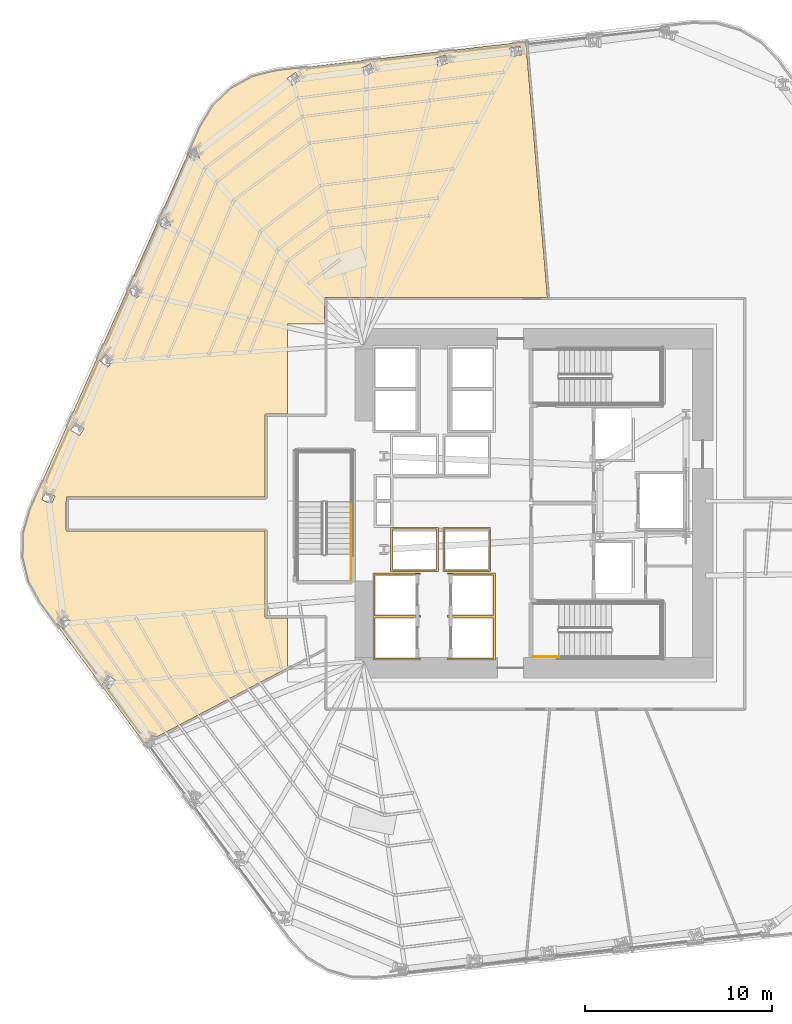
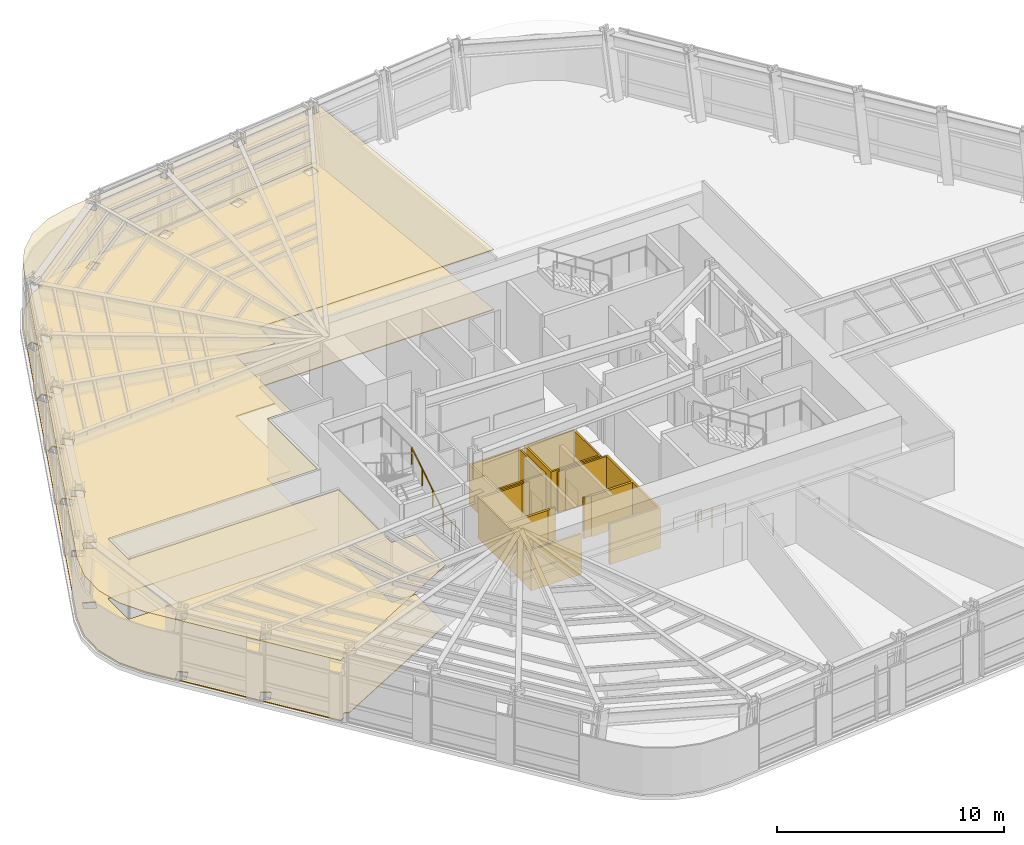
# One storey, part 12 of 16: 6 coverings, 3 railings.
"""IFC4 building model written with IfcOpenShell, lengths in metres."""

from ifc_helpers import new_model, si_unit, direction, frame, origin, origin_2d, place, context, subcontext, project, spatial, polyline, circle, outline, extrude, material, layer, layer_set, type_object, element, save


model = new_model("IFC4")

# Units and contexts
model_context = context("Model", 3, precision=1e-05, world=origin(), true_north=direction((0.0, 1.0)))
body_context = subcontext(model_context, "Body", "Model", "MODEL_VIEW")
ifc_project = project(units=[si_unit("LENGTHUNIT", "METRE"), si_unit("AREAUNIT", "SQUARE_METRE"), si_unit("VOLUMEUNIT", "CUBIC_METRE"), si_unit("PLANEANGLEUNIT", "RADIAN"), si_unit("MASSUNIT", "GRAM", prefix="KILO")], contexts=[model_context])

# Site, building, storey
site_placement = place(None, origin())
site = spatial("IfcSite", under=ifc_project, at=site_placement, CompositionType="ELEMENT")
building_placement = place(site_placement, origin())
building = spatial("IfcBuilding", under=site, at=building_placement, Name="Valkerne Bourse Tower", CompositionType="ELEMENT")
storey_placement = place(building_placement, frame((0.0, 0.0, 50.60009765625)))
storey = spatial("IfcBuildingStorey", under=building, at=storey_placement, Name="L12", CompositionType="ELEMENT", Elevation=50.60009765625)

# Coverings
ifc_material_1 = material(Name="Mineral Fiber Acoustic Ceiling Tile", Category="acoustic")
ifc_layer_1 = layer(ifc_material_1, 0.02490234375)
ifc_layer_set_1 = layer_set([ifc_layer_1], Name="Mineral Fiber Acoustic Ceiling Tile")
covering_type_1 = type_object("IfcCoveringType", Name="COV-CEIL-ACT", PredefinedType="CEILING", material=ifc_layer_set_1)
covering_1_placement = place(storey_placement, frame((0.0, 0.0, 3.22998046875)))
element("IfcCovering", 1, at=covering_1_placement, inside=storey, type_object=covering_type_1, Name="L12 Suspended Ceiling 06", PredefinedType="CEILING", context=body_context, shape_type="SweptSolid", body=[
    extrude(outline(polyline([(19.3994140625, 23.974853515625), (19.427001953125, 25.294189453125), (19.7978515625, 26.5703125), (28.279052734375, 45.6572265625), (28.4423828125, 45.222900390625), (28.869384765625, 45.381103515625), (28.8720703125, 45.3837890625), (28.676513671875, 45.904296875), (28.332275390625, 45.776611328125), (28.907958984375, 47.072509765625), (29.5966796875, 48.209716796875), (30.549072265625, 49.122802734375), (31.705322265625, 49.7587890625), (32.996337890625, 50.07568359375), (46.3662109375, 51.61279296875), (47.5244140625, 37.9189453125), (35.649658203125, 37.9189453125), (35.620849609375, 37.91259765625), (35.591064453125, 37.885986328125), (35.5810546875, 37.8505859375), (35.5810546875, 36.5), (33.60009765625, 36.5), (33.60009765625, 31.6689453125), (32.449462890625, 31.6689453125), (32.419921875, 31.662109375), (32.39404296875, 31.640625), (32.381103515625, 31.6005859375), (32.381103515625, 27.218994140625), (21.79931640625, 27.218994140625), (21.75927734375, 27.205810546875), (21.734619140625, 27.1728515625), (21.731201171875, 25.446533203125), (21.748291015625, 25.40380859375), (21.7890625, 25.3818359375), (32.381103515625, 25.381103515625), (32.381103515625, 20.799560546875), (32.3876953125, 20.77001953125), (32.4140625, 20.740966796875), (32.449462890625, 20.73095703125), (33.60009765625, 20.73095703125), (33.60009765625, 18.052001953125), (26.576904296875, 14.34619140625), (26.310791015625, 14.451416015625), (26.18603515625, 14.14013671875), (25.9326171875, 14.00634765625), (20.3544921875, 21.529052734375), (19.714111328125, 22.693603515625), (19.3994140625, 23.974853515625)]), holes=[polyline([(24.3505859375, 17.41943359375), (23.958740234375, 17.653076171875), (23.671875, 17.17724609375), (23.67333984375, 17.173828125), (24.06494140625, 16.940185546875), (24.351806640625, 17.416015625), (24.3505859375, 17.41943359375)]), polyline([(21.957275390625, 20.55224609375), (21.956298828125, 20.555908203125), (21.603759765625, 20.84521484375), (21.2490234375, 20.417724609375), (21.25, 20.4140625), (21.6025390625, 20.124755859375), (21.957275390625, 20.55224609375)]), polyline([(21.123046875, 27.257568359375), (20.615966796875, 27.486083984375), (20.427001953125, 27.07177734375), (20.427001953125, 27.06787109375), (20.93408203125, 26.83935546875), (21.122802734375, 27.253662109375), (21.123046875, 27.257568359375)]), polyline([(22.689453125, 30.88134765625), (22.68994140625, 30.884765625), (22.222900390625, 31.186279296875), (21.974365234375, 30.804443359375), (21.9736328125, 30.801025390625), (22.44091796875, 30.49951171875), (22.689453125, 30.88134765625)]), polyline([(24.2490234375, 34.5068359375), (23.836181640625, 34.879638671875), (23.529541015625, 34.542724609375), (23.528564453125, 34.539306640625), (23.941162109375, 34.16650390625), (24.247802734375, 34.50341796875), (24.2490234375, 34.5068359375)]), polyline([(25.796630859375, 38.124755859375), (25.79833984375, 38.127685546875), (25.452880859375, 38.563720703125), (25.0947265625, 38.28173828125), (25.093017578125, 38.27880859375), (25.438720703125, 37.843017578125), (25.796630859375, 38.124755859375)]), polyline([(27.336181640625, 41.74951171875), (27.33837890625, 41.752197265625), (27.0673828125, 42.23779296875), (26.668701171875, 42.017578125), (26.66650390625, 42.0146484375), (26.9375, 41.52880859375), (27.336181640625, 41.74951171875)]), polyline([(33.83837890625, 49.273193359375), (34.2880859375, 49.595703125), (34.021728515625, 49.968017578125), (34.0185546875, 49.966064453125), (33.56884765625, 49.6435546875), (33.8349609375, 49.271484375), (33.83837890625, 49.273193359375)]), polyline([(37.753173828125, 49.7822265625), (38.24609375, 50.0341796875), (38.038330078125, 50.44189453125), (38.034912109375, 50.440673828125), (37.5419921875, 50.188720703125), (37.749755859375, 49.781005859375), (37.753173828125, 49.7822265625)]), polyline([(41.66748046875, 50.30078125), (42.194580078125, 50.470458984375), (42.05517578125, 50.90625), (42.0517578125, 50.905517578125), (41.5244140625, 50.736083984375), (41.6640625, 50.30029296875), (41.66748046875, 50.30078125)]), polyline([(46.1337890625, 50.90869140625), (46.068115234375, 51.361572265625), (46.064453125, 51.361572265625), (45.5166015625, 51.28125), (45.582275390625, 50.828369140625), (45.585693359375, 50.82861328125), (46.1337890625, 50.90869140625)])]), origin(), (0.0, 0.0, 1.0), 0.02490234375),
])
ifc_material_2 = material(Name="Galvanised Painted Steel", Category="steel")
ifc_layer_2 = layer(ifc_material_2, 0.044921875)
ifc_layer_set_2 = layer_set([ifc_layer_2], Name="Galvanised Painted Steel")
covering_type_2 = type_object("IfcCoveringType", Name="COV-FLR-RAF", PredefinedType="FLOORING", material=ifc_layer_set_2)
covering_2_placement = place(storey_placement, origin())
element("IfcCovering", 2, at=covering_2_placement, inside=storey, type_object=covering_type_2, Name="L12 Floor Finish 06", PredefinedType="FLOORING", context=body_context, shape_type="SweptSolid", body=[
    extrude(outline(polyline([(19.3994140625, 23.974853515625), (19.427001953125, 25.294189453125), (19.7978515625, 26.5703125), (28.279052734375, 45.6572265625), (28.4423828125, 45.222900390625), (28.869384765625, 45.381103515625), (28.8720703125, 45.3837890625), (28.676513671875, 45.904296875), (28.332275390625, 45.776611328125), (28.907958984375, 47.072509765625), (29.5966796875, 48.209716796875), (30.549072265625, 49.122802734375), (31.705322265625, 49.7587890625), (32.996337890625, 50.07568359375), (46.3662109375, 51.61279296875), (47.5244140625, 37.9189453125), (35.649658203125, 37.9189453125), (35.620849609375, 37.91259765625), (35.591064453125, 37.885986328125), (35.5810546875, 37.8505859375), (35.5810546875, 36.5), (33.60009765625, 36.5), (33.60009765625, 31.6689453125), (32.449462890625, 31.6689453125), (32.419921875, 31.662109375), (32.39404296875, 31.640625), (32.381103515625, 31.6005859375), (32.381103515625, 27.218994140625), (21.79931640625, 27.218994140625), (21.75927734375, 27.205810546875), (21.734619140625, 27.1728515625), (21.731201171875, 25.446533203125), (21.748291015625, 25.40380859375), (21.7890625, 25.3818359375), (32.381103515625, 25.381103515625), (32.381103515625, 20.799560546875), (32.3876953125, 20.77001953125), (32.4140625, 20.740966796875), (32.449462890625, 20.73095703125), (33.60009765625, 20.73095703125), (33.60009765625, 18.052001953125), (26.576904296875, 14.34619140625), (26.310791015625, 14.451416015625), (26.18603515625, 14.14013671875), (25.9326171875, 14.00634765625), (20.3544921875, 21.529052734375), (19.714111328125, 22.693603515625), (19.3994140625, 23.974853515625)]), holes=[polyline([(24.3505859375, 17.41943359375), (23.958740234375, 17.653076171875), (23.671875, 17.17724609375), (23.67333984375, 17.173828125), (24.06494140625, 16.940185546875), (24.351806640625, 17.416015625), (24.3505859375, 17.41943359375)]), polyline([(21.957275390625, 20.55224609375), (21.956298828125, 20.555908203125), (21.603759765625, 20.84521484375), (21.2490234375, 20.417724609375), (21.25, 20.4140625), (21.6025390625, 20.124755859375), (21.957275390625, 20.55224609375)]), polyline([(21.123046875, 27.257568359375), (20.615966796875, 27.486083984375), (20.427001953125, 27.07177734375), (20.427001953125, 27.06787109375), (20.93408203125, 26.83935546875), (21.122802734375, 27.253662109375), (21.123046875, 27.257568359375)]), polyline([(22.689453125, 30.88134765625), (22.68994140625, 30.884765625), (22.222900390625, 31.186279296875), (21.974365234375, 30.804443359375), (21.9736328125, 30.801025390625), (22.44091796875, 30.49951171875), (22.689453125, 30.88134765625)]), polyline([(24.2490234375, 34.5068359375), (23.836181640625, 34.879638671875), (23.529541015625, 34.542724609375), (23.528564453125, 34.539306640625), (23.941162109375, 34.16650390625), (24.247802734375, 34.50341796875), (24.2490234375, 34.5068359375)]), polyline([(25.796630859375, 38.124755859375), (25.79833984375, 38.127685546875), (25.452880859375, 38.563720703125), (25.0947265625, 38.28173828125), (25.093017578125, 38.27880859375), (25.438720703125, 37.843017578125), (25.796630859375, 38.124755859375)]), polyline([(27.336181640625, 41.74951171875), (27.33837890625, 41.752197265625), (27.0673828125, 42.23779296875), (26.668701171875, 42.017578125), (26.66650390625, 42.0146484375), (26.9375, 41.52880859375), (27.336181640625, 41.74951171875)]), polyline([(33.83837890625, 49.273193359375), (34.2880859375, 49.595703125), (34.021728515625, 49.968017578125), (34.0185546875, 49.966064453125), (33.56884765625, 49.6435546875), (33.8349609375, 49.271484375), (33.83837890625, 49.273193359375)]), polyline([(37.753173828125, 49.7822265625), (38.24609375, 50.0341796875), (38.038330078125, 50.44189453125), (38.034912109375, 50.440673828125), (37.5419921875, 50.188720703125), (37.749755859375, 49.781005859375), (37.753173828125, 49.7822265625)]), polyline([(41.66748046875, 50.30078125), (42.194580078125, 50.470458984375), (42.05517578125, 50.90625), (42.0517578125, 50.905517578125), (41.5244140625, 50.736083984375), (41.6640625, 50.30029296875), (41.66748046875, 50.30078125)]), polyline([(46.1337890625, 50.90869140625), (46.068115234375, 51.361572265625), (46.064453125, 51.361572265625), (45.5166015625, 51.28125), (45.582275390625, 50.828369140625), (45.585693359375, 50.82861328125), (46.1337890625, 50.90869140625)])]), origin(), (0.0, 0.0, 1.0), 0.044921875),
])
ifc_material_3 = material(Name="Gypsum Shaftwall Liner Board", Category="gypsum")
ifc_layer_3 = layer(ifc_material_3, 0.080078125)
ifc_layer_set_3 = layer_set([ifc_layer_3], Name="Gypsum Shaftwall Liner Board")
covering_type_3 = type_object("IfcCoveringType", Name="COV-SHF-CLAD", PredefinedType="CLADDING", material=ifc_layer_set_3)
covering_3_placement = place(storey_placement, origin())
element("IfcCovering", 3, at=covering_3_placement, inside=storey, type_object=covering_type_3, Name="L12 Hoistway & Riser Shaftwall Liner 01", PredefinedType="CLADDING", context=body_context, shape_type="SweptSolid", body=[
    extrude(outline(polyline([(38.169921875, 23.1298828125), (40.72998046875, 23.1298828125), (40.72998046875, 23.052001953125), (40.72216796875, 23.0556640625), (40.6806640625, 23.070556640625), (40.6376953125, 23.081298828125), (40.593994140625, 23.087890625), (40.550048828125, 23.090087890625), (40.505859375, 23.087890625), (40.462158203125, 23.081298828125), (40.41943359375, 23.070556640625), (40.377685546875, 23.0556640625), (40.344482421875, 23.0400390625), (38.260009765625, 23.0400390625), (38.260009765625, 20.860107421875), (40.456787109375, 20.860107421875), (40.462158203125, 20.858642578125), (40.505859375, 20.852294921875), (40.550048828125, 20.85009765625), (40.593994140625, 20.852294921875), (40.6376953125, 20.858642578125), (40.6806640625, 20.869384765625), (40.72216796875, 20.88427734375), (40.72998046875, 20.887939453125), (40.72998046875, 20.830078125), (40.72998046875, 20.77001953125), (40.72998046875, 20.752197265625), (40.72216796875, 20.755615234375), (40.6806640625, 20.7705078125), (40.6376953125, 20.781494140625), (40.593994140625, 20.787841796875), (40.550048828125, 20.7900390625), (40.505859375, 20.787841796875), (40.462158203125, 20.781494140625), (40.41943359375, 20.7705078125), (40.377685546875, 20.755615234375), (40.344482421875, 20.739990234375), (38.260009765625, 20.739990234375), (38.260009765625, 18.56005859375), (40.456787109375, 18.56005859375), (40.462158203125, 18.55859375), (40.505859375, 18.55224609375), (40.550048828125, 18.550048828125), (40.593994140625, 18.55224609375), (40.6376953125, 18.55859375), (40.6806640625, 18.5693359375), (40.72216796875, 18.584228515625), (40.72998046875, 18.587890625), (40.72998046875, 18.469970703125), (38.169921875, 18.469970703125), (38.169921875, 20.77001953125), (38.169921875, 20.830078125), (38.169921875, 23.1298828125)])), origin(), (0.0, 0.0, 1.0), 2.179931640625),
])
covering_4_placement = place(storey_placement, origin())
element("IfcCovering", 4, at=covering_4_placement, inside=storey, type_object=covering_type_3, Name="L12 Hoistway & Riser Shaftwall Liner 02", PredefinedType="CLADDING", context=body_context, shape_type="SweptSolid", body=[
    extrude(outline(polyline([(41.679931640625, 23.219970703125), (39.1201171875, 23.219970703125), (39.1201171875, 25.580078125), (41.679931640625, 25.580078125), (41.679931640625, 23.219970703125)]), holes=[polyline([(39.2099609375, 25.489990234375), (39.2099609375, 23.31005859375), (41.590087890625, 23.31005859375), (41.590087890625, 25.489990234375), (39.2099609375, 25.489990234375)])]), origin(), (0.0, 0.0, 1.0), 2.179931640625),
])
covering_5_placement = place(storey_placement, origin())
element("IfcCovering", 5, at=covering_5_placement, inside=storey, type_object=covering_type_3, Name="L12 Hoistway & Riser Shaftwall Liner 03", PredefinedType="CLADDING", context=body_context, shape_type="SweptSolid", body=[
    extrude(outline(polyline([(44.47998046875, 23.219970703125), (41.919921875, 23.219970703125), (41.919921875, 25.580078125), (44.47998046875, 25.580078125), (44.47998046875, 23.219970703125)]), holes=[polyline([(42.010009765625, 25.489990234375), (42.010009765625, 23.31005859375), (44.389892578125, 23.31005859375), (44.389892578125, 25.489990234375), (42.010009765625, 25.489990234375)])]), origin(), (0.0, 0.0, 1.0), 2.179931640625),
])
covering_6_placement = place(storey_placement, origin())
element("IfcCovering", 6, at=covering_6_placement, inside=storey, type_object=covering_type_3, Name="L12 Hoistway & Riser Shaftwall Liner 06", PredefinedType="CLADDING", context=body_context, shape_type="SweptSolid", body=[
    extrude(outline(polyline([(42.169921875, 20.830078125), (42.169921875, 20.887939453125), (42.177734375, 20.88427734375), (42.219482421875, 20.869384765625), (42.26220703125, 20.858642578125), (42.305908203125, 20.852294921875), (42.35009765625, 20.85009765625), (42.39404296875, 20.852294921875), (42.437744140625, 20.858642578125), (42.443115234375, 20.860107421875), (44.639892578125, 20.860107421875), (44.639892578125, 23.0400390625), (42.555419921875, 23.0400390625), (42.522216796875, 23.0556640625), (42.480712890625, 23.070556640625), (42.437744140625, 23.081298828125), (42.39404296875, 23.087890625), (42.35009765625, 23.090087890625), (42.305908203125, 23.087890625), (42.26220703125, 23.081298828125), (42.219482421875, 23.070556640625), (42.177734375, 23.0556640625), (42.169921875, 23.052001953125), (42.169921875, 23.1298828125), (44.72998046875, 23.1298828125), (44.72998046875, 20.830078125), (44.72998046875, 20.77001953125), (44.72998046875, 18.469970703125), (42.169921875, 18.469970703125), (42.169921875, 18.587890625), (42.177734375, 18.584228515625), (42.219482421875, 18.5693359375), (42.26220703125, 18.55859375), (42.305908203125, 18.55224609375), (42.35009765625, 18.550048828125), (42.39404296875, 18.55224609375), (42.437744140625, 18.55859375), (42.443115234375, 18.56005859375), (44.639892578125, 18.56005859375), (44.639892578125, 20.739990234375), (42.555419921875, 20.739990234375), (42.522216796875, 20.755615234375), (42.480712890625, 20.7705078125), (42.437744140625, 20.781494140625), (42.39404296875, 20.787841796875), (42.35009765625, 20.7900390625), (42.305908203125, 20.787841796875), (42.26220703125, 20.781494140625), (42.219482421875, 20.7705078125), (42.177734375, 20.755615234375), (42.169921875, 20.752197265625), (42.169921875, 20.77001953125), (42.169921875, 20.830078125)])), origin(), (0.0, 0.0, 1.0), 2.179931640625),
])

# Railings
railing_type_1 = type_object("IfcRailingType", Name="RLG-ST-GUARD-1120", PredefinedType="GUARDRAIL", material=ifc_material_2)
railing_1_placement = place(storey_placement, frame((46.75, 18.64990234375, 0.0)))
element("IfcRailing", 7, at=railing_1_placement, inside=storey, type_object=railing_type_1, Name="L12 ST-1 stair guard 8", PredefinedType="GUARDRAIL", context=body_context, shape_type="SweptSolid", body=[
    extrude(circle(Radius=0.02392578125, at=origin_2d()), frame((0.0, 0.0, 1.09619140625), z_axis=(1.0, 0.0, 0.0), x_axis=(0.0, 1.0, 0.0)), (0.0, 0.0, 1.0), 1.39990234375),
    extrude(circle(Radius=0.02099609375, at=origin_2d()), origin(), (0.0, 0.0, 1.0), 1.072021484375),
    extrude(circle(Radius=0.02099609375, at=origin_2d()), frame((0.699951171875, 0.0, 0.0)), (0.0, 0.0, 1.0), 1.072021484375),
    extrude(circle(Radius=0.02099609375, at=origin_2d()), frame((1.39990234375, 0.0, 0.0)), (0.0, 0.0, 1.0), 1.072021484375),
])
railing_2_placement = place(storey_placement, frame((37.0, 22.75, 0.0)))
element("IfcRailing", 8, at=railing_2_placement, inside=storey, type_object=railing_type_1, Name="L12 ST-3 stair guard 8", PredefinedType="GUARDRAIL", context=body_context, shape_type="SweptSolid", body=[
    extrude(circle(Radius=0.02392578125, at=origin_2d()), frame((0.0, 0.0, 1.09619140625), z_axis=(0.0, 1.0, 0.0), x_axis=(-1.0, 0.0, 0.0)), (0.0, 0.0, 1.0), 1.39990234375),
    extrude(circle(Radius=0.02099609375, at=origin_2d()), origin(), (0.0, 0.0, 1.0), 1.072021484375),
    extrude(circle(Radius=0.02099609375, at=origin_2d()), frame((0.0, 0.699951171875, 0.0)), (0.0, 0.0, 1.0), 1.072021484375),
    extrude(circle(Radius=0.02099609375, at=origin_2d()), frame((0.0, 1.39990234375, 0.0)), (0.0, 0.0, 1.0), 1.072021484375),
])
ifc_material_4 = material(Name="Stainless Steel AISI 316", Category="steel")
railing_type_2 = type_object("IfcRailingType", Name="RLG-ST-HANDRAIL-900", PredefinedType="HANDRAIL", material=ifc_material_4)
railing_3_placement = place(storey_placement, frame((37.0, 24.14990234375, 0.345458984375)))
element("IfcRailing", 9, at=railing_3_placement, inside=storey, type_object=railing_type_2, Name="L12 ST-3 stair handrail 1", PredefinedType="HANDRAIL", context=body_context, shape_type="SweptSolid", body=[
    extrude(circle(Radius=0.02392578125, at=origin_2d()), frame((0.0, 0.0, 0.8759765625), z_axis=(0.0, 0.851122791225, 0.524966660138), x_axis=(-1.0, 0.0, 0.0)), (0.0, 0.0, 1.0), 3.289794921875),
    extrude(circle(Radius=0.02099609375, at=origin_2d()), origin(), (0.0, 0.0, 1.0), 0.851806640625),
    extrude(circle(Radius=0.02099609375, at=origin_2d()), frame((0.0, 0.933349609375, 0.57568359375)), (0.0, 0.0, 1.0), 0.851806640625),
    extrude(circle(Radius=0.02099609375, at=origin_2d()), frame((0.0, 1.86669921875, 1.1513671875)), (0.0, 0.0, 1.0), 0.851806640625),
    extrude(circle(Radius=0.02099609375, at=origin_2d()), frame((0.0, 2.800048828125, 1.72705078125)), (0.0, 0.0, 1.0), 0.851806640625),
])

save(model, "model.ifc")
